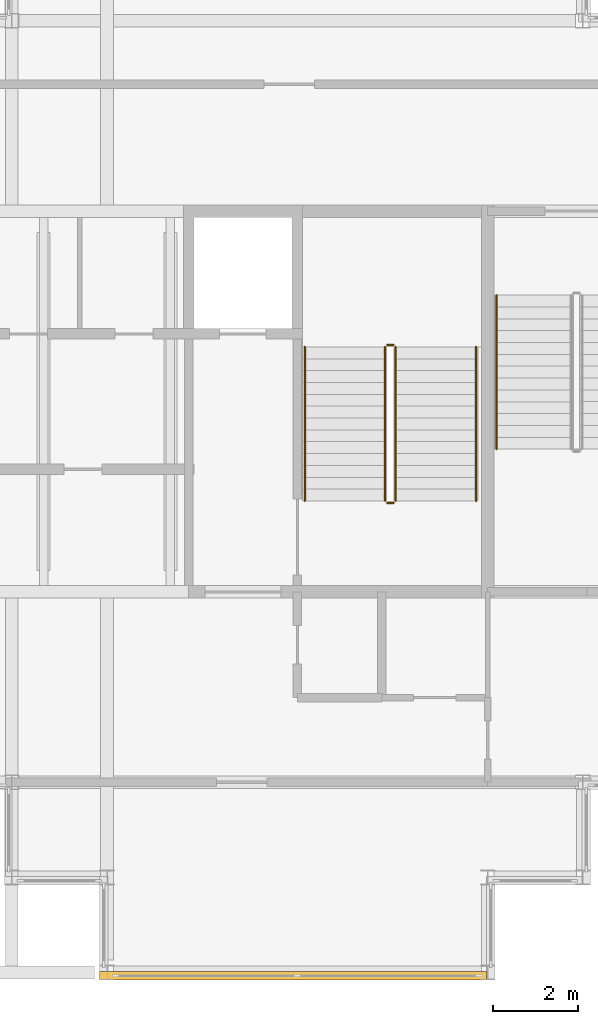
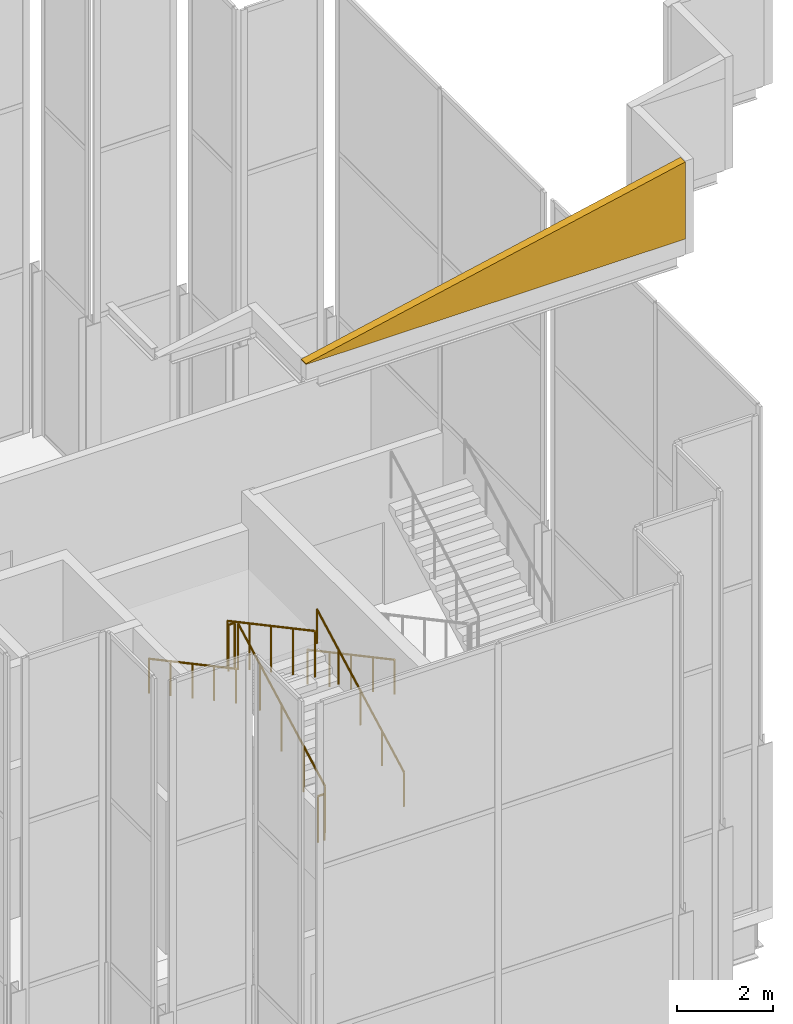
# One storey, part 21 of 23: 7 railings, 1 covering.
"""IFC4 building model written with IfcOpenShell, lengths in metres."""

import ifcopenshell
import ifcopenshell.guid

model = None  # the IFC model being written
_history = None  # IfcOwnerHistory: only IFC2X3 demands one
_inside = {}  # id of a spatial element -> (the spatial element, [elements in it])
_under = {}  # id of a project, library or spatial element -> (it, [spatial elements below it])
_declared = {}  # id of a project -> (the project, [libraries it declares])
_typed = {}  # id of a type object -> (the type object, [elements of that type])
_made_of = {}  # id of a material, layer set ... -> (it, [elements and type objects made of it])


def new_model(schema):
    """Start an empty IFC model of exactly this schema.

    Asked for "IFC4X3", IfcOpenShell would pick the latest addendum, in which some entities
    have other attributes; the version numbers below select the first issue.
    IFC2X3 requires an IfcOwnerHistory on every rooted entity: one is made here for all.
    """
    global model, _history
    if schema == "IFC4X3":
        model = ifcopenshell.file(schema_version=(4, 3, 0, 0))
    else:
        model = ifcopenshell.file(schema=schema)
    _inside.clear()
    _under.clear()
    _declared.clear()
    _typed.clear()
    _made_of.clear()
    _history = None
    if model.schema == "IFC2X3":
        org = make("IfcOrganization", Name="unknown")
        user = make(
            "IfcPersonAndOrganization",
            ThePerson=make("IfcPerson", FamilyName="unknown"),
            TheOrganization=org,
        )
        app = make(
            "IfcApplication",
            ApplicationDeveloper=org,
            Version="unknown",
            ApplicationFullName="unknown",
            ApplicationIdentifier="unknown",
        )
        _history = make(
            "IfcOwnerHistory",
            OwningUser=user,
            OwningApplication=app,
            ChangeAction="ADDED",
            CreationDate=0,
        )
    return model


def make(cls, **values):
    """One entity of the class cls with the attributes given. An attribute that is None is left unset."""
    return model.create_entity(
        cls, **{name: value for name, value in values.items() if value is not None}
    )


def rooted(cls, **values):
    """An entity with a GlobalId (a new one), such as an element, a storey or a relation."""
    return make(cls, GlobalId=ifcopenshell.guid.new(), OwnerHistory=_history, **values)


def si_unit(unit_type, name, prefix=None):
    """IfcSIUnit, for example si_unit("LENGTHUNIT", "METRE", prefix="MILLI")."""
    return make("IfcSIUnit", UnitType=unit_type, Prefix=prefix, Name=name)


def assignment(units):
    """IfcUnitAssignment: the units of a project."""
    return None if units is None else make("IfcUnitAssignment", Units=units)


def point(xyz):
    """IfcCartesianPoint."""
    return None if xyz is None else make("IfcCartesianPoint", Coordinates=xyz)


def direction(xyz):
    """IfcDirection."""
    return None if xyz is None else make("IfcDirection", DirectionRatios=xyz)


def frame(location, z_axis=None, x_axis=None):
    """IfcAxis2Placement3D, a coordinate frame: its origin and axes. An axis left out is left unset."""
    return make(
        "IfcAxis2Placement3D",
        Location=point(location),
        Axis=direction(z_axis),
        RefDirection=direction(x_axis),
    )


def frame_2d(location, x_axis=None):
    """IfcAxis2Placement2D, a coordinate frame in the plane: its origin and x axis."""
    return make(
        "IfcAxis2Placement2D", Location=point(location), RefDirection=direction(x_axis)
    )


def origin():
    """The frame at (0, 0, 0) with its axes left unset."""
    return frame((0.0, 0.0, 0.0))


def origin_2d():
    """The frame at (0, 0) in the plane with its x axis left unset."""
    return frame_2d((0.0, 0.0))


def place(relative_to, where):
    """IfcLocalPlacement: puts the frame where relative to a parent placement (None: the world)."""
    return make(
        "IfcLocalPlacement", PlacementRelTo=relative_to, RelativePlacement=where
    )


def context(
    kind, dimensions, precision=None, world=None, true_north=None, identifier=None
):
    """IfcGeometricRepresentationContext, for example the 3D "Model" context."""
    return make(
        "IfcGeometricRepresentationContext",
        ContextIdentifier=identifier,
        ContextType=kind,
        CoordinateSpaceDimension=dimensions,
        Precision=precision,
        WorldCoordinateSystem=world,
        TrueNorth=true_north,
    )


def subcontext(parent, identifier, kind, view, scale=None):
    """IfcGeometricRepresentationSubContext, for example "Body" below "Model"."""
    return make(
        "IfcGeometricRepresentationSubContext",
        ContextIdentifier=identifier,
        ContextType=kind,
        ParentContext=parent,
        TargetScale=scale,
        TargetView=view,
    )


def project(units=None, contexts=None):
    """IfcProject with its units and contexts."""
    return rooted(
        "IfcProject",
        Name="project",
        RepresentationContexts=contexts,
        UnitsInContext=assignment(units),
    )


def spatial(cls, under=None, at=None, **own):
    """A site, building, storey or space (cls), placed at a placement, below another one or the project."""
    s = rooted(cls, ObjectPlacement=at, **own)
    if under is not None:
        _under.setdefault(under.id(), (under, []))[1].append(s)
    return s


def polyline(points):
    """IfcPolyline through the points."""
    return make("IfcPolyline", Points=[point(p) for p in points])


def profile(cls, at=None, kind="AREA", **sizes):
    """A parametric profile (cls). Its sizes go by their IFC names, for example OverallWidth=200.0."""
    return make(cls, ProfileType=kind, Position=at, **sizes)


def circle(**sizes):
    """IfcCircleProfileDef."""
    return profile("IfcCircleProfileDef", **sizes)


def outline(outer, holes=None, kind="AREA"):
    """IfcArbitraryClosedProfileDef: a profile drawn as a closed curve; with holes, ...WithVoids."""
    if holes is None:
        return make("IfcArbitraryClosedProfileDef", ProfileType=kind, OuterCurve=outer)
    return make(
        "IfcArbitraryProfileDefWithVoids",
        ProfileType=kind,
        OuterCurve=outer,
        InnerCurves=holes,
    )


def extrude(swept, where, along, depth):
    """IfcExtrudedAreaSolid: the profile swept, set in the frame where, extruded along a direction by depth."""
    return make(
        "IfcExtrudedAreaSolid",
        SweptArea=swept,
        Position=where,
        ExtrudedDirection=direction(along),
        Depth=depth,
    )


def shape(context_of_items, identifier, shape_type, items):
    """IfcShapeRepresentation: the items that make up one representation, for example the "Body"."""
    return make(
        "IfcShapeRepresentation",
        ContextOfItems=context_of_items,
        RepresentationIdentifier=identifier,
        RepresentationType=shape_type,
        Items=items,
    )


def material(Name=None, Category=None):
    """IfcMaterial."""
    return make("IfcMaterial", Name=Name, Category=Category)


def layer(
    of_material, thickness, ventilated=None, Name=None, Category=None, Priority=None
):
    """IfcMaterialLayer: one layer of a wall or slab, of a material (None: an air gap)."""
    return make(
        "IfcMaterialLayer",
        Material=of_material,
        LayerThickness=thickness,
        IsVentilated=ventilated,
        Name=Name,
        Category=Category,
        Priority=Priority,
    )


def layer_set(layers, Name=None):
    """IfcMaterialLayerSet."""
    return make("IfcMaterialLayerSet", MaterialLayers=layers, LayerSetName=Name)


def made_of(thing, what):
    """Note that an element or type object is made of a material, layer set ...; save() writes the relation."""
    if what is not None:
        _made_of.setdefault(what.id(), (what, []))[1].append(thing)
    return thing


def type_object(cls, material=None, **own):
    """A type object (cls), such as IfcWallType, which elements share."""
    return made_of(rooted(cls, **own), material)


def element(
    cls,
    number,
    at=None,
    inside=None,
    cuts=None,
    type_object=None,
    material=None,
    context=None,
    identifier="Body",
    shape_type=None,
    held_by="IfcProductDefinitionShape",
    body=None,
    shapes=None,
    **own,
):
    """One element of the class cls, such as IfcWall. Its Tag is "e" and its number.

    at: its placement. inside: the storey or other place that contains it. cuts: it is an
    opening in that element (IfcRelVoidsElement). A single representation is given by context,
    identifier, shape_type and body (its items); several are given by shapes. held_by: the class
    of the entity that holds the representations. save() writes the other relations.
    """
    e = rooted(cls, Tag="e%d" % number, ObjectPlacement=at, **own)
    if body is not None:
        shapes = [shape(context, identifier, shape_type, body)]
    if shapes is not None:
        e.Representation = make(held_by, Representations=shapes)
    if inside is not None:
        _inside.setdefault(inside.id(), (inside, []))[1].append(e)
    if cuts is not None:
        rooted(
            "IfcRelVoidsElement", RelatingBuildingElement=cuts, RelatedOpeningElement=e
        )
    if type_object is not None:
        _typed.setdefault(type_object.id(), (type_object, []))[1].append(e)
    return made_of(e, material)


def aggregate(whole, parts):
    """IfcRelAggregates: a whole, such as a stair, and the parts it consists of."""
    return rooted("IfcRelAggregates", RelatingObject=whole, RelatedObjects=parts)


def save(model, path):
    """Write the relations noted so far, then the file.

    IfcRelAggregates (storeys below a building ...), IfcRelContainedInSpatialStructure (elements
    in a storey), IfcRelDefinesByType, IfcRelAssociatesMaterial and IfcRelDeclares: one each for
    every whole, place, type object, material and project.
    """
    for whole, parts in _under.values():
        aggregate(whole, parts)
    for where, things in _inside.values():
        rooted(
            "IfcRelContainedInSpatialStructure",
            RelatedElements=things,
            RelatingStructure=where,
        )
    for kind, things in _typed.values():
        rooted("IfcRelDefinesByType", RelatedObjects=things, RelatingType=kind)
    for what, things in _made_of.values():
        rooted("IfcRelAssociatesMaterial", RelatedObjects=things, RelatingMaterial=what)
    for by, libraries in _declared.values():
        rooted("IfcRelDeclares", RelatingContext=by, RelatedDefinitions=libraries)
    model.write(path)


model = new_model("IFC4")

# Units and contexts
model_context = context("Model", 3, precision=1e-05, world=origin(), true_north=direction((0.0, 1.0)))
body_context = subcontext(model_context, "Body", "Model", "MODEL_VIEW")
ifc_project = project(units=[si_unit("LENGTHUNIT", "METRE"), si_unit("AREAUNIT", "SQUARE_METRE"), si_unit("VOLUMEUNIT", "CUBIC_METRE"), si_unit("PLANEANGLEUNIT", "RADIAN"), si_unit("MASSUNIT", "GRAM", prefix="KILO")], contexts=[model_context])

# Site, building, storey
site_placement = place(None, origin())
site = spatial("IfcSite", under=ifc_project, at=site_placement, CompositionType="ELEMENT")
building_placement = place(site_placement, origin())
building = spatial("IfcBuilding", under=site, at=building_placement, Name="Caravel Reach Hotel and Residences", CompositionType="ELEMENT")
storey_placement = place(building_placement, frame((0.0, 0.0, 312.800048828125)))
storey = spatial("IfcBuildingStorey", under=building, at=storey_placement, Name="L79", CompositionType="ELEMENT", Elevation=312.800048828125)

# Covering
ifc_material_1 = material(Name="Insulated rainscreen wall, aluminium cladding", Category="aluminium")
ifc_layer = layer(ifc_material_1, 0.199951171875)
ifc_layer_set = layer_set([ifc_layer], Name="GC1 Crown gable closure 200")
covering_type = type_object("IfcCoveringType", Name="GC1 Crown gable closure 200", PredefinedType="CLADDING", material=ifc_layer_set)
covering_placement = place(storey_placement, frame((35.824951171875, 13.425048828125, 21.399169921875), z_axis=(0.0, 0.0, 1.0), x_axis=(1.0, 0.0, 0.0)))
element("IfcCovering", 1, at=covering_placement, inside=storey, type_object=covering_type, Name="Crown gable closure east 20.1", PredefinedType="CLADDING", context=body_context, shape_type="SweptSolid", body=[
    extrude(outline(polyline([(0.0, 0.0), (9.150146484375, 0.0), (9.14990234375, 1.965087890625), (0.0, 0.02001953125), (0.0, 0.0)])), frame((0.0, 0.10009765625, 0.0), z_axis=(0.0, -1.0, 0.0), x_axis=(1.0, 0.0, 0.0)), (0.0, 0.0, 1.0), 0.199951171875),
])

# Railings
ifc_material_2 = material(Name="Steel balustrade with glass infill", Category="steel")
railing_type_1 = type_object("IfcRailingType", Name="Guard 1200", PredefinedType="GUARDRAIL", material=ifc_material_2)
railing_1_placement = place(storey_placement, frame((42.824951171875, 24.64990234375, 0.14990234375)))
element("IfcRailing", 2, at=railing_1_placement, inside=storey, type_object=railing_type_1, Name="L79 ST-B stair guard 1", PredefinedType="GUARDRAIL", context=body_context, shape_type="SweptSolid", body=[
    extrude(circle(Radius=0.02392578125, at=origin_2d()), frame((0.0, 0.0, 1.17578125), z_axis=(0.0, 0.881492274372, 0.472198443689), x_axis=(-1.0, 0.0, 0.0)), (0.0, 0.0, 1.0), 4.12939453125),
    extrude(circle(Radius=0.02099609375, at=origin_2d()), origin(), (0.0, 0.0, 1.0), 1.15185546875),
    extrude(circle(Radius=0.02099609375, at=origin_2d()), frame((0.0, 0.91015625, 0.487548828125)), (0.0, 0.0, 1.0), 1.15185546875),
    extrude(circle(Radius=0.02099609375, at=origin_2d()), frame((0.0, 1.820068359375, 0.97509765625)), (0.0, 0.0, 1.0), 1.15185546875),
    extrude(circle(Radius=0.02099609375, at=origin_2d()), frame((0.0, 2.72998046875, 1.46240234375)), (0.0, 0.0, 1.0), 1.15185546875),
    extrude(circle(Radius=0.02099609375, at=origin_2d()), frame((0.0, 3.64013671875, 1.949951171875)), (0.0, 0.0, 1.0), 1.15185546875),
])
railing_2_placement = place(storey_placement, frame((42.77490234375, 28.340087890625, 2.099853515625)))
element("IfcRailing", 3, at=railing_2_placement, inside=storey, type_object=railing_type_1, Name="L79 ST-B stair guard 2", PredefinedType="GUARDRAIL", context=body_context, shape_type="SweptSolid", body=[
    extrude(circle(Radius=0.02392578125, at=origin_2d()), frame((0.0, 0.0, 1.17578125), z_axis=(-1.0, 0.0, 0.0), x_axis=(0.0, -1.0, 0.0)), (0.0, 0.0, 1.0), 0.14990234375),
    extrude(circle(Radius=0.02099609375, at=origin_2d()), origin(), (0.0, 0.0, 1.0), 1.15185546875),
    extrude(circle(Radius=0.02099609375, at=origin_2d()), frame((-0.14990234375, 0.0, 0.0)), (0.0, 0.0, 1.0), 1.15185546875),
])
railing_3_placement = place(storey_placement, frame((42.574951171875, 28.2900390625, 2.25)))
element("IfcRailing", 4, at=railing_3_placement, inside=storey, type_object=railing_type_1, Name="L79 ST-B stair guard 3", PredefinedType="GUARDRAIL", context=body_context, shape_type="SweptSolid", body=[
    extrude(circle(Radius=0.02392578125, at=origin_2d()), frame((0.0, 0.0, 1.17578125), z_axis=(0.0, -0.881492274372, 0.472198443689), x_axis=(1.0, 0.0, 0.0)), (0.0, 0.0, 1.0), 4.12939453125),
    extrude(circle(Radius=0.02099609375, at=origin_2d()), origin(), (0.0, 0.0, 1.0), 1.15185546875),
    extrude(circle(Radius=0.02099609375, at=origin_2d()), frame((0.0, -0.91015625, 0.487548828125)), (0.0, 0.0, 1.0), 1.15185546875),
    extrude(circle(Radius=0.02099609375, at=origin_2d()), frame((0.0, -1.820068359375, 0.97509765625)), (0.0, 0.0, 1.0), 1.15185546875),
    extrude(circle(Radius=0.02099609375, at=origin_2d()), frame((0.0, -2.72998046875, 1.46240234375)), (0.0, 0.0, 1.0), 1.15185546875),
    extrude(circle(Radius=0.02099609375, at=origin_2d()), frame((0.0, -3.64013671875, 1.949951171875)), (0.0, 0.0, 1.0), 1.15185546875),
])
railing_4_placement = place(storey_placement, frame((42.77490234375, 24.60009765625, 0.0)))
element("IfcRailing", 5, at=railing_4_placement, inside=storey, type_object=railing_type_1, Name="L79 ST-B stair guard 4", PredefinedType="GUARDRAIL", context=body_context, shape_type="SweptSolid", body=[
    extrude(circle(Radius=0.02392578125, at=origin_2d()), frame((0.0, 0.0, 1.17578125), z_axis=(-1.0, 0.0, 0.0), x_axis=(0.0, -1.0, 0.0)), (0.0, 0.0, 1.0), 0.14990234375),
    extrude(circle(Radius=0.02099609375, at=origin_2d()), origin(), (0.0, 0.0, 1.0), 1.15185546875),
    extrude(circle(Radius=0.02099609375, at=origin_2d()), frame((-0.14990234375, 0.0, 0.0)), (0.0, 0.0, 1.0), 1.15185546875),
])
ifc_material_3 = material(Name="Stainless steel handrail", Category="steel")
railing_type_2 = type_object("IfcRailingType", Name="Handrail 900", PredefinedType="HANDRAIL", material=ifc_material_3)
railing_5_placement = place(storey_placement, frame((44.72509765625, 24.64990234375, 0.14990234375)))
element("IfcRailing", 6, at=railing_5_placement, inside=storey, type_object=railing_type_2, Name="L79 ST-B stair handrail 1", PredefinedType="HANDRAIL", context=body_context, shape_type="SweptSolid", body=[
    extrude(circle(Radius=0.02392578125, at=origin_2d()), frame((0.0, 0.0, 0.8759765625), z_axis=(0.0, 0.881492274372, 0.472198443689), x_axis=(-1.0, 0.0, 0.0)), (0.0, 0.0, 1.0), 4.12939453125),
    extrude(circle(Radius=0.02099609375, at=origin_2d()), origin(), (0.0, 0.0, 1.0), 0.851806640625),
    extrude(circle(Radius=0.02099609375, at=origin_2d()), frame((0.0, 0.91015625, 0.487548828125)), (0.0, 0.0, 1.0), 0.851806640625),
    extrude(circle(Radius=0.02099609375, at=origin_2d()), frame((0.0, 1.820068359375, 0.97509765625)), (0.0, 0.0, 1.0), 0.851806640625),
    extrude(circle(Radius=0.02099609375, at=origin_2d()), frame((0.0, 2.72998046875, 1.46240234375)), (0.0, 0.0, 1.0), 0.851806640625),
    extrude(circle(Radius=0.02099609375, at=origin_2d()), frame((0.0, 3.64013671875, 1.949951171875)), (0.0, 0.0, 1.0), 0.851806640625),
])
railing_6_placement = place(storey_placement, frame((40.675048828125, 28.2900390625, 2.25)))
element("IfcRailing", 7, at=railing_6_placement, inside=storey, type_object=railing_type_2, Name="L79 ST-B stair handrail 2", PredefinedType="HANDRAIL", context=body_context, shape_type="SweptSolid", body=[
    extrude(circle(Radius=0.02392578125, at=origin_2d()), frame((0.0, 0.0, 0.8759765625), z_axis=(0.0, -0.881492274372, 0.472198443689), x_axis=(1.0, 0.0, 0.0)), (0.0, 0.0, 1.0), 4.12939453125),
    extrude(circle(Radius=0.02099609375, at=origin_2d()), origin(), (0.0, 0.0, 1.0), 0.851806640625),
    extrude(circle(Radius=0.02099609375, at=origin_2d()), frame((0.0, -0.91015625, 0.487548828125)), (0.0, 0.0, 1.0), 0.851806640625),
    extrude(circle(Radius=0.02099609375, at=origin_2d()), frame((0.0, -1.820068359375, 0.97509765625)), (0.0, 0.0, 1.0), 0.851806640625),
    extrude(circle(Radius=0.02099609375, at=origin_2d()), frame((0.0, -2.72998046875, 1.46240234375)), (0.0, 0.0, 1.0), 0.851806640625),
    extrude(circle(Radius=0.02099609375, at=origin_2d()), frame((0.0, -3.64013671875, 1.949951171875)), (0.0, 0.0, 1.0), 0.851806640625),
])
railing_7_placement = place(storey_placement, frame((45.2099609375, 29.514892578125, 0.14990234375)))
element("IfcRailing", 8, at=railing_7_placement, inside=storey, type_object=railing_type_2, Name="L79 ST-C stair handrail 1", PredefinedType="HANDRAIL", context=body_context, shape_type="SweptSolid", body=[
    extrude(circle(Radius=0.02392578125, at=origin_2d()), frame((0.0, 0.0, 0.8759765625), z_axis=(0.0, -0.881479091078, 0.472223053219), x_axis=(1.0, 0.0, 0.0)), (0.0, 0.0, 1.0), 4.12939453125),
    extrude(circle(Radius=0.02099609375, at=origin_2d()), origin(), (0.0, 0.0, 1.0), 0.851806640625),
    extrude(circle(Radius=0.02099609375, at=origin_2d()), frame((0.0, -0.909912109375, 0.487548828125)), (0.0, 0.0, 1.0), 0.851806640625),
    extrude(circle(Radius=0.02099609375, at=origin_2d()), frame((0.0, -1.81982421875, 0.97509765625)), (0.0, 0.0, 1.0), 0.851806640625),
    extrude(circle(Radius=0.02099609375, at=origin_2d()), frame((0.0, -2.72998046875, 1.46240234375)), (0.0, 0.0, 1.0), 0.851806640625),
    extrude(circle(Radius=0.02099609375, at=origin_2d()), frame((0.0, -3.639892578125, 1.949951171875)), (0.0, 0.0, 1.0), 0.851806640625),
])

save(model, "model.ifc")
